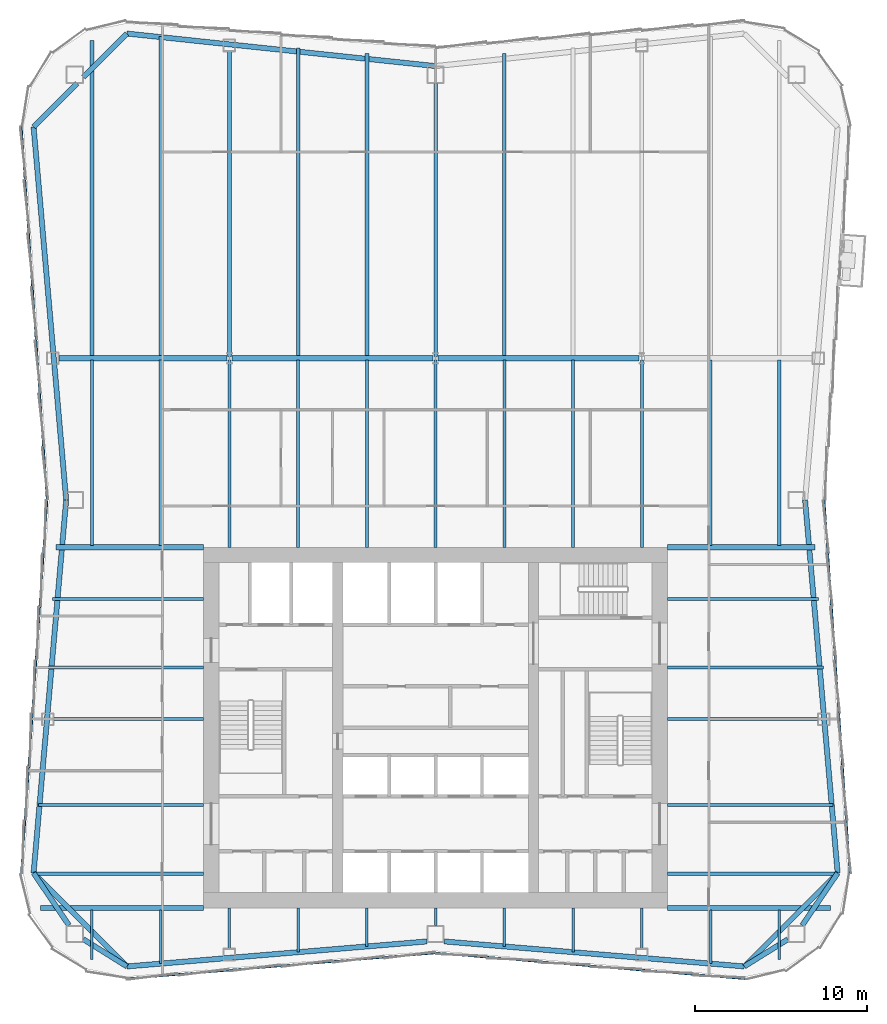
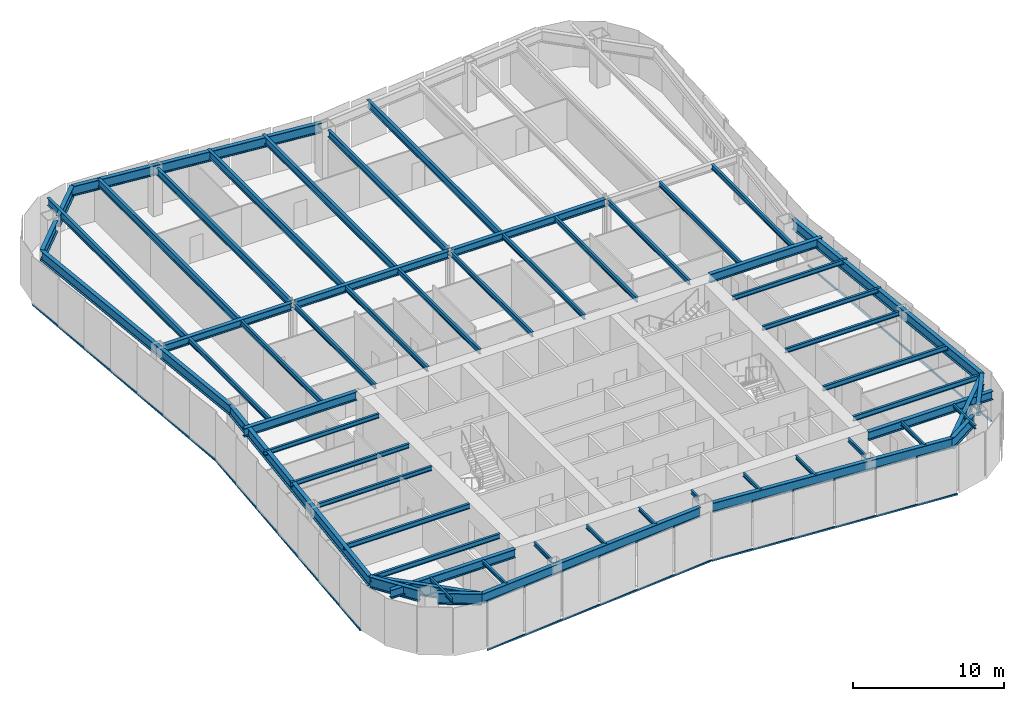
# One storey, part 2 of 10: 60 beams, 5 members, 3 elements without a shape of their own.
"""IFC4 building model written with IfcOpenShell, lengths in metres."""

from ifc_helpers import new_model, si_unit, direction, frame, origin, origin_2d, place, context, subcontext, project, spatial, rectangle, i_section, extrude, material, material_profile, profile_set, type_object, element, aggregate, save


model = new_model("IFC4")

# Units and contexts
model_context = context("Model", 3, precision=1e-05, world=origin(), true_north=direction((0.0, 1.0)))
body_context = subcontext(model_context, "Body", "Model", "MODEL_VIEW")
ifc_project = project(units=[si_unit("LENGTHUNIT", "METRE"), si_unit("AREAUNIT", "SQUARE_METRE"), si_unit("VOLUMEUNIT", "CUBIC_METRE"), si_unit("PLANEANGLEUNIT", "RADIAN"), si_unit("MASSUNIT", "GRAM", prefix="KILO")], contexts=[model_context])

# Site, building, storey
site_placement = place(None, origin())
site = spatial("IfcSite", under=ifc_project, at=site_placement, CompositionType="ELEMENT")
building_placement = place(site_placement, origin())
building = spatial("IfcBuilding", under=site, at=building_placement, Name="Verdant Reach Tower", CompositionType="ELEMENT")
storey_placement = place(building_placement, frame((0.0, 0.0, 198.0)))
storey = spatial("IfcBuildingStorey", under=building, at=storey_placement, Name="L45", CompositionType="ELEMENT", Elevation=198.0)

# Curtain wall, member
ifc_material_1 = material(Name="Anodised aluminium", Category="aluminium")
curtain_wall_type = type_object("IfcCurtainWallType", Name="EN-CW SYSTEM Z3", PredefinedType="NOTDEFINED", material=ifc_material_1)
curtain_wall_1_placement = place(storey_placement, origin())
curtain_wall_1 = element("IfcCurtainWall", 1, at=curtain_wall_1_placement, inside=storey, type_object=curtain_wall_type, Name="Curtain wall east, L45", PredefinedType="NOTDEFINED")
ifc_material_profile_1 = material_profile(ifc_material_1, rectangle(XDim=0.10009765625, YDim=0.1259765625, at=origin_2d()), Name="Transom 126x100")
ifc_profile_set_1 = profile_set([ifc_material_profile_1], Name="Anodised aluminium")
member_type = type_object("IfcMemberType", Name="EN-TRANSOM Z3", PredefinedType="USERDEFINED", material=ifc_profile_set_1)
member_1_placement = place(storey_placement, frame((24.1064453125, 19.52587890625, -0.287109375), z_axis=(-0.068764326054, 0.997632932226, 0.0), x_axis=(-0.997632932226, -0.068764326054, 0.0)))
member_1 = element("IfcMember", 2, at=member_1_placement, type_object=member_type, Name="Transom east face part 1 1.1, L45", ObjectType="TRANSOM", PredefinedType="USERDEFINED", context=body_context, shape_type="SweptSolid", body=[
    extrude(rectangle(XDim=0.10009765625, YDim=0.1259765625, at=origin_2d()), origin(), (0.0, 0.0, 1.0), 21.74267578125),
])
aggregate(curtain_wall_1, [member_1])

# Curtain wall, members
curtain_wall_2_placement = place(storey_placement, origin())
curtain_wall_2 = element("IfcCurtainWall", 3, at=curtain_wall_2_placement, inside=storey, type_object=curtain_wall_type, Name="Curtain wall west, L45", PredefinedType="NOTDEFINED")
member_2_placement = place(storey_placement, frame((-24.1064453125, 62.97412109375, -0.287109375), z_axis=(0.068764326054, -0.997632932226, 0.0), x_axis=(0.997632932226, 0.068764326054, 0.0)))
member_2 = element("IfcMember", 4, at=member_2_placement, type_object=member_type, Name="Transom west face part 1 1.1, L45", ObjectType="TRANSOM", PredefinedType="USERDEFINED", context=body_context, shape_type="SweptSolid", body=[
    extrude(rectangle(XDim=0.10009765625, YDim=0.1259765625, at=origin_2d()), origin(), (0.0, 0.0, 1.0), 21.74267578125),
])
member_3_placement = place(storey_placement, frame((-22.611328125, 41.217041015625, -0.287109375), z_axis=(-0.068764326054, -0.997632932226, 0.0), x_axis=(0.997632932226, -0.068764326054, 0.0)))
member_3 = element("IfcMember", 5, at=member_3_placement, type_object=member_type, Name="Transom west face part 2 1.1, L45", ObjectType="TRANSOM", PredefinedType="USERDEFINED", context=body_context, shape_type="SweptSolid", body=[
    extrude(rectangle(XDim=0.10009765625, YDim=0.1259765625, at=origin_2d()), origin(), (0.0, 0.0, 1.0), 21.74267578125),
])
aggregate(curtain_wall_2, [member_2, member_3])

curtain_wall_3_placement = place(storey_placement, origin())
curtain_wall_3 = element("IfcCurtainWall", 6, at=curtain_wall_3_placement, inside=storey, type_object=curtain_wall_type, Name="Curtain wall south, L45", PredefinedType="NOTDEFINED")
member_4_placement = place(storey_placement, frame((-17.973388671875, 13.393798828125, -0.287109375), z_axis=(0.996548750467, 0.083009565369, 0.0), x_axis=(-0.083009565369, 0.996548750467, 0.0)))
member_4 = element("IfcMember", 7, at=member_4_placement, type_object=member_type, Name="Transom south face part 1 1.1, L45", ObjectType="TRANSOM", PredefinedType="USERDEFINED", context=body_context, shape_type="SweptSolid", body=[
    extrude(rectangle(XDim=0.10009765625, YDim=0.1259765625, at=origin_2d()), origin(), (0.0, 0.0, 1.0), 18.00244140625),
])
member_5_placement = place(storey_placement, frame((0.032958984375, 14.88818359375, -0.287109375), z_axis=(0.996548750467, -0.083009565369, 0.0), x_axis=(0.083009565369, 0.996548750467, 0.0)))
member_5 = element("IfcMember", 8, at=member_5_placement, type_object=member_type, Name="Transom south face part 2 1.1, L45", ObjectType="TRANSOM", PredefinedType="USERDEFINED", context=body_context, shape_type="SweptSolid", body=[
    extrude(rectangle(XDim=0.10009765625, YDim=0.1259765625, at=origin_2d()), origin(), (0.0, 0.0, 1.0), 18.00244140625),
])
aggregate(curtain_wall_3, [member_4, member_5])

# Beams
ifc_material_2 = material(Name="Steel S355", Category="steel")
ifc_material_profile_2 = material_profile(ifc_material_2, i_section(OverallWidth=0.300048828125, OverallDepth=0.60009765625, WebThickness=0.015380859375, FlangeThickness=0.030029296875, FilletRadius=0.027099609375, at=origin_2d()), Name="HEB 600")
ifc_profile_set_2 = profile_set([ifc_material_profile_2], Name="Steel S355")
beam_type_1 = type_object("IfcBeamType", Name="ST-BEAM-HEB600", PredefinedType="BEAM", material=ifc_profile_set_2)
beam_1_placement = place(storey_placement, frame((-21.9189453125, 49.5, 3.570068359375), z_axis=(1.0, 0.0, 0.0), x_axis=(0.0, 1.0, 0.0)))
element("IfcBeam", 9, at=beam_1_placement, inside=storey, type_object=beam_type_1, Name="Row girder, L45", PredefinedType="BEAM", context=body_context, shape_type="SweptSolid", body=[
    extrude(i_section(OverallWidth=0.300048828125, OverallDepth=0.60009765625, WebThickness=0.015380859375, FlangeThickness=0.030029296875, FilletRadius=0.027099609375, at=origin_2d()), origin(), (0.0, 0.0, 1.0), 9.766357421875),
])
for number, where, z_axis, x_axis, name in (
    (10, (-11.847412109375, 49.5, 3.570068359375), (1.0, 0.0, 0.0), (0.0, 1.0, 0.0), "Row girder, L45"),
    (11, (0.152587890625, 49.5, 3.570068359375), (1.0, 0.0, 0.0), (0.0, 1.0, 0.0), "Row girder, L45"),
):
    element("IfcBeam", number, at=place(storey_placement, frame(where, z_axis=z_axis, x_axis=x_axis)), inside=storey, type_object=beam_type_1, Name=name, PredefinedType="BEAM", context=body_context, shape_type="SweptSolid", body=[
        extrude(i_section(OverallWidth=0.300048828125, OverallDepth=0.60009765625, WebThickness=0.015380859375, FlangeThickness=0.030029296875, FilletRadius=0.027099609375, at=origin_2d()), origin(), (0.0, 0.0, 1.0), 11.69482421875),
    ])
ifc_material_profile_3 = material_profile(ifc_material_2, i_section(OverallWidth=0.300048828125, OverallDepth=0.699951171875, WebThickness=0.01708984375, FlangeThickness=0.031982421875, FilletRadius=0.027099609375, at=origin_2d()), Name="HEB 700")
ifc_profile_set_3 = profile_set([ifc_material_profile_3], Name="Steel S355")
beam_type_2 = type_object("IfcBeamType", Name="ST-BEAM-HEB700", PredefinedType="BEAM", material=ifc_profile_set_3)
for number, where, z_axis, x_axis, name in (
    (12, (13.5, 38.5, 3.52001953125), (1.0, 0.0, 0.0), (0.0, 1.0, 0.0), "Trimmer beam, L45"),
    (13, (-13.5, 38.5, 3.52001953125), (-1.0, 0.0, 0.0), (0.0, -1.0, 0.0), "Trimmer beam, L45"),
):
    element("IfcBeam", number, at=place(storey_placement, frame(where, z_axis=z_axis, x_axis=x_axis)), inside=storey, type_object=beam_type_2, Name=name, PredefinedType="BEAM", context=body_context, shape_type="SweptSolid", body=[
        extrude(i_section(OverallWidth=0.300048828125, OverallDepth=0.699951171875, WebThickness=0.01708984375, FlangeThickness=0.031982421875, FilletRadius=0.027099609375, at=origin_2d()), origin(), (0.0, 0.0, 1.0), 8.588134765625),
    ])
for number, where, z_axis, x_axis, name in (
    (14, (13.5, 17.5, 3.52001953125), (1.0, 0.0, 0.0), (0.0, 1.0, 0.0), "Trimmer beam, L45"),
    (15, (-13.5, 17.5, 3.52001953125), (-1.0, 0.0, 0.0), (0.0, -1.0, 0.0), "Trimmer beam, L45"),
):
    element("IfcBeam", number, at=place(storey_placement, frame(where, z_axis=z_axis, x_axis=x_axis)), inside=storey, type_object=beam_type_2, Name=name, PredefinedType="BEAM", context=body_context, shape_type="SweptSolid", body=[
        extrude(i_section(OverallWidth=0.300048828125, OverallDepth=0.699951171875, WebThickness=0.01708984375, FlangeThickness=0.031982421875, FilletRadius=0.027099609375, at=origin_2d()), origin(), (0.0, 0.0, 1.0), 9.490478515625),
    ])
ifc_material_profile_4 = material_profile(ifc_material_2, i_section(OverallWidth=0.302001953125, OverallDepth=0.909912109375, WebThickness=0.02099609375, FlangeThickness=0.0400390625, FilletRadius=0.030029296875, at=origin_2d()), Name="HEM 900")
ifc_profile_set_4 = profile_set([ifc_material_profile_4], Name="Steel S355")
beam_type_3 = type_object("IfcBeamType", Name="ST-BEAM-HEM900", PredefinedType="BEAM", material=ifc_profile_set_4)
beam_2_placement = place(storey_placement, frame((20.5, 15.687744140625, 3.4150390625), z_axis=(-0.848163521635, -0.529734500073, 0.0), x_axis=(0.529734500073, -0.848163521635, 0.0)))
element("IfcBeam", 16, at=beam_2_placement, inside=storey, type_object=beam_type_3, Name="Column stub beam, L45", PredefinedType="BEAM", context=body_context, shape_type="SweptSolid", body=[
    extrude(i_section(OverallWidth=0.302001953125, OverallDepth=0.909912109375, WebThickness=0.02099609375, FlangeThickness=0.0400390625, FilletRadius=0.030029296875, at=origin_2d()), origin(), (0.0, 0.0, 1.0), 2.98779296875),
])
beam_3_placement = place(storey_placement, frame((21.33837890625, 16.5, 3.4150390625), z_axis=(0.560703975309, 0.828016335631, 0.0), x_axis=(-0.828016335631, 0.560703975309, 0.0)))
element("IfcBeam", 17, at=beam_3_placement, inside=storey, type_object=beam_type_3, Name="Column stub beam, L45", PredefinedType="BEAM", context=body_context, shape_type="SweptSolid", body=[
    extrude(i_section(OverallWidth=0.302001953125, OverallDepth=0.909912109375, WebThickness=0.02099609375, FlangeThickness=0.0400390625, FilletRadius=0.030029296875, at=origin_2d()), origin(), (0.0, 0.0, 1.0), 3.669677734375),
])
beam_4_placement = place(storey_placement, frame((-20.5, 15.687744140625, 3.4150390625), z_axis=(0.848163521635, -0.529734500073, 0.0), x_axis=(0.529734500073, 0.848163521635, 0.0)))
element("IfcBeam", 18, at=beam_4_placement, inside=storey, type_object=beam_type_3, Name="Column stub beam, L45", PredefinedType="BEAM", context=body_context, shape_type="SweptSolid", body=[
    extrude(i_section(OverallWidth=0.302001953125, OverallDepth=0.909912109375, WebThickness=0.02099609375, FlangeThickness=0.0400390625, FilletRadius=0.030029296875, at=origin_2d()), origin(), (0.0, 0.0, 1.0), 2.98779296875),
])
beam_5_placement = place(storey_placement, frame((-21.33837890625, 16.5, 3.4150390625), z_axis=(-0.560703975309, 0.828016335631, 0.0), x_axis=(-0.828016335631, -0.560703975309, 0.0)))
element("IfcBeam", 19, at=beam_5_placement, inside=storey, type_object=beam_type_3, Name="Column stub beam, L45", PredefinedType="BEAM", context=body_context, shape_type="SweptSolid", body=[
    extrude(i_section(OverallWidth=0.302001953125, OverallDepth=0.909912109375, WebThickness=0.02099609375, FlangeThickness=0.0400390625, FilletRadius=0.030029296875, at=origin_2d()), origin(), (0.0, 0.0, 1.0), 3.669677734375),
])
ifc_material_profile_5 = material_profile(ifc_material_2, i_section(OverallWidth=0.14990234375, OverallDepth=0.300048828125, WebThickness=0.007080078125, FlangeThickness=0.0107421875, FilletRadius=0.014892578125, at=origin_2d()), Name="IPE 300")
ifc_profile_set_5 = profile_set([ifc_material_profile_5], Name="Steel S355")
beam_type_4 = type_object("IfcBeamType", Name="ST-JOIST-IPE300", PredefinedType="JOIST", material=ifc_profile_set_5)
beam_6_placement = place(storey_placement, frame((-20.0, 17.39990234375, 3.719970703125), z_axis=(0.0, -1.0, 0.0), x_axis=(1.0, 0.0, 0.0)))
element("IfcBeam", 20, at=beam_6_placement, inside=storey, type_object=beam_type_4, Name="Floor joist, L45", PredefinedType="JOIST", context=body_context, shape_type="SweptSolid", body=[
    extrude(i_section(OverallWidth=0.14990234375, OverallDepth=0.300048828125, WebThickness=0.007080078125, FlangeThickness=0.0107421875, FilletRadius=0.014892578125, at=origin_2d()), origin(), (0.0, 0.0, 1.0), 2.890380859375),
])
beam_7_placement = place(storey_placement, frame((-16.0, 17.39990234375, 3.719970703125), z_axis=(0.0, -1.0, 0.0), x_axis=(1.0, 0.0, 0.0)))
element("IfcBeam", 21, at=beam_7_placement, inside=storey, type_object=beam_type_4, Name="Floor joist, L45", PredefinedType="JOIST", context=body_context, shape_type="SweptSolid", body=[
    extrude(i_section(OverallWidth=0.14990234375, OverallDepth=0.300048828125, WebThickness=0.007080078125, FlangeThickness=0.0107421875, FilletRadius=0.014892578125, at=origin_2d()), origin(), (0.0, 0.0, 1.0), 3.131103515625),
])
beam_8_placement = place(storey_placement, frame((-12.0, 17.5, 3.719970703125), z_axis=(0.0, -1.0, 0.0), x_axis=(1.0, 0.0, 0.0)))
element("IfcBeam", 22, at=beam_8_placement, inside=storey, type_object=beam_type_4, Name="Floor joist, L45", PredefinedType="JOIST", context=body_context, shape_type="SweptSolid", body=[
    extrude(i_section(OverallWidth=0.14990234375, OverallDepth=0.300048828125, WebThickness=0.007080078125, FlangeThickness=0.0107421875, FilletRadius=0.014892578125, at=origin_2d()), origin(), (0.0, 0.0, 1.0), 2.35009765625),
])
beam_9_placement = place(storey_placement, frame((-8.0, 17.5, 3.719970703125), z_axis=(0.0, -1.0, 0.0), x_axis=(1.0, 0.0, 0.0)))
element("IfcBeam", 23, at=beam_9_placement, inside=storey, type_object=beam_type_4, Name="Floor joist, L45", PredefinedType="JOIST", context=body_context, shape_type="SweptSolid", body=[
    extrude(i_section(OverallWidth=0.14990234375, OverallDepth=0.300048828125, WebThickness=0.007080078125, FlangeThickness=0.0107421875, FilletRadius=0.014892578125, at=origin_2d()), origin(), (0.0, 0.0, 1.0), 2.564697265625),
])
beam_10_placement = place(storey_placement, frame((-4.0, 17.5, 3.719970703125), z_axis=(0.0, -1.0, 0.0), x_axis=(1.0, 0.0, 0.0)))
element("IfcBeam", 24, at=beam_10_placement, inside=storey, type_object=beam_type_4, Name="Floor joist, L45", PredefinedType="JOIST", context=body_context, shape_type="SweptSolid", body=[
    extrude(i_section(OverallWidth=0.14990234375, OverallDepth=0.300048828125, WebThickness=0.007080078125, FlangeThickness=0.0107421875, FilletRadius=0.014892578125, at=origin_2d()), origin(), (0.0, 0.0, 1.0), 2.231201171875),
])
beam_11_placement = place(storey_placement, frame((0.0, 17.5, 3.719970703125), z_axis=(0.0, -1.0, 0.0), x_axis=(1.0, 0.0, 0.0)))
element("IfcBeam", 25, at=beam_11_placement, inside=storey, type_object=beam_type_4, Name="Floor joist, L45", PredefinedType="JOIST", context=body_context, shape_type="SweptSolid", body=[
    extrude(i_section(OverallWidth=0.14990234375, OverallDepth=0.300048828125, WebThickness=0.007080078125, FlangeThickness=0.0107421875, FilletRadius=0.014892578125, at=origin_2d()), origin(), (0.0, 0.0, 1.0), 1.0),
])
beam_12_placement = place(storey_placement, frame((4.0, 17.5, 3.719970703125), z_axis=(0.0, -1.0, 0.0), x_axis=(1.0, 0.0, 0.0)))
element("IfcBeam", 26, at=beam_12_placement, inside=storey, type_object=beam_type_4, Name="Floor joist, L45", PredefinedType="JOIST", context=body_context, shape_type="SweptSolid", body=[
    extrude(i_section(OverallWidth=0.14990234375, OverallDepth=0.300048828125, WebThickness=0.007080078125, FlangeThickness=0.0107421875, FilletRadius=0.014892578125, at=origin_2d()), origin(), (0.0, 0.0, 1.0), 2.231201171875),
])
beam_13_placement = place(storey_placement, frame((8.0, 17.5, 3.719970703125), z_axis=(0.0, -1.0, 0.0), x_axis=(1.0, 0.0, 0.0)))
element("IfcBeam", 27, at=beam_13_placement, inside=storey, type_object=beam_type_4, Name="Floor joist, L45", PredefinedType="JOIST", context=body_context, shape_type="SweptSolid", body=[
    extrude(i_section(OverallWidth=0.14990234375, OverallDepth=0.300048828125, WebThickness=0.007080078125, FlangeThickness=0.0107421875, FilletRadius=0.014892578125, at=origin_2d()), origin(), (0.0, 0.0, 1.0), 2.564697265625),
])
beam_14_placement = place(storey_placement, frame((12.0, 17.5, 3.719970703125), z_axis=(0.0, -1.0, 0.0), x_axis=(1.0, 0.0, 0.0)))
element("IfcBeam", 28, at=beam_14_placement, inside=storey, type_object=beam_type_4, Name="Floor joist, L45", PredefinedType="JOIST", context=body_context, shape_type="SweptSolid", body=[
    extrude(i_section(OverallWidth=0.14990234375, OverallDepth=0.300048828125, WebThickness=0.007080078125, FlangeThickness=0.0107421875, FilletRadius=0.014892578125, at=origin_2d()), origin(), (0.0, 0.0, 1.0), 2.35009765625),
])
beam_15_placement = place(storey_placement, frame((16.0, 17.39990234375, 3.719970703125), z_axis=(0.0, -1.0, 0.0), x_axis=(1.0, 0.0, 0.0)))
element("IfcBeam", 29, at=beam_15_placement, inside=storey, type_object=beam_type_4, Name="Floor joist, L45", PredefinedType="JOIST", context=body_context, shape_type="SweptSolid", body=[
    extrude(i_section(OverallWidth=0.14990234375, OverallDepth=0.300048828125, WebThickness=0.007080078125, FlangeThickness=0.0107421875, FilletRadius=0.014892578125, at=origin_2d()), origin(), (0.0, 0.0, 1.0), 3.131103515625),
])
beam_16_placement = place(storey_placement, frame((20.0, 17.39990234375, 3.719970703125), z_axis=(0.0, -1.0, 0.0), x_axis=(1.0, 0.0, 0.0)))
element("IfcBeam", 30, at=beam_16_placement, inside=storey, type_object=beam_type_4, Name="Floor joist, L45", PredefinedType="JOIST", context=body_context, shape_type="SweptSolid", body=[
    extrude(i_section(OverallWidth=0.14990234375, OverallDepth=0.300048828125, WebThickness=0.007080078125, FlangeThickness=0.0107421875, FilletRadius=0.014892578125, at=origin_2d()), origin(), (0.0, 0.0, 1.0), 2.890380859375),
])
ifc_material_profile_6 = material_profile(ifc_material_2, i_section(OverallWidth=0.169921875, OverallDepth=0.360107421875, WebThickness=0.008056640625, FlangeThickness=0.0126953125, FilletRadius=0.01806640625, at=origin_2d()), Name="IPE 360")
ifc_profile_set_6 = profile_set([ifc_material_profile_6], Name="Steel S355")
beam_type_5 = type_object("IfcBeamType", Name="ST-JOIST-IPE360", PredefinedType="JOIST", material=ifc_profile_set_6)
for number, where, z_axis, x_axis, name in (
    (31, (13.5, 28.5, 3.68994140625), (1.0, 0.0, 0.0), (0.0, 1.0, 0.0), "Floor joist, L45"),
    (32, (-13.5, 28.5, 3.68994140625), (-1.0, 0.0, 0.0), (0.0, -1.0, 0.0), "Floor joist, L45"),
):
    element("IfcBeam", number, at=place(storey_placement, frame(where, z_axis=z_axis, x_axis=x_axis)), inside=storey, type_object=beam_type_5, Name=name, PredefinedType="JOIST", context=body_context, shape_type="SweptSolid", body=[
        extrude(i_section(OverallWidth=0.169921875, OverallDepth=0.360107421875, WebThickness=0.008056640625, FlangeThickness=0.0126953125, FilletRadius=0.01806640625, at=origin_2d()), origin(), (0.0, 0.0, 1.0), 8.729248046875),
    ])
for number, where, z_axis, x_axis, name in (
    (33, (13.5, 31.5, 3.68994140625), (1.0, 0.0, 0.0), (0.0, 1.0, 0.0), "Floor joist, L45"),
    (34, (-13.5, 31.5, 3.68994140625), (-1.0, 0.0, 0.0), (0.0, -1.0, 0.0), "Floor joist, L45"),
):
    element("IfcBeam", number, at=place(storey_placement, frame(where, z_axis=z_axis, x_axis=x_axis)), inside=storey, type_object=beam_type_5, Name=name, PredefinedType="JOIST", context=body_context, shape_type="SweptSolid", body=[
        extrude(i_section(OverallWidth=0.169921875, OverallDepth=0.360107421875, WebThickness=0.008056640625, FlangeThickness=0.0126953125, FilletRadius=0.01806640625, at=origin_2d()), origin(), (0.0, 0.0, 1.0), 9.071044921875),
    ])
for number, where, z_axis, x_axis, name in (
    (35, (13.5, 35.5, 3.68994140625), (1.0, 0.0, 0.0), (0.0, 1.0, 0.0), "Floor joist, L45"),
    (36, (-13.5, 35.5, 3.68994140625), (-1.0, 0.0, 0.0), (0.0, -1.0, 0.0), "Floor joist, L45"),
):
    element("IfcBeam", number, at=place(storey_placement, frame(where, z_axis=z_axis, x_axis=x_axis)), inside=storey, type_object=beam_type_5, Name=name, PredefinedType="JOIST", context=body_context, shape_type="SweptSolid", body=[
        extrude(i_section(OverallWidth=0.169921875, OverallDepth=0.360107421875, WebThickness=0.008056640625, FlangeThickness=0.0126953125, FilletRadius=0.01806640625, at=origin_2d()), origin(), (0.0, 0.0, 1.0), 8.795166015625),
    ])
ifc_material_profile_7 = material_profile(ifc_material_2, i_section(OverallWidth=0.179931640625, OverallDepth=0.39990234375, WebThickness=0.008544921875, FlangeThickness=0.013427734375, FilletRadius=0.02099609375, at=origin_2d()), Name="IPE 400")
ifc_profile_set_7 = profile_set([ifc_material_profile_7], Name="Steel S355")
beam_type_6 = type_object("IfcBeamType", Name="ST-JOIST-IPE400", PredefinedType="JOIST", material=ifc_profile_set_7)
for number, where, z_axis, x_axis, name in (
    (37, (-20.0, 38.60009765625, 3.669921875), (0.0, 1.0, 0.0), (-1.0, 0.0, 0.0), "Floor joist, L45"),
    (38, (-16.0, 38.60009765625, 3.669921875), (0.0, 1.0, 0.0), (-1.0, 0.0, 0.0), "Floor joist, L45"),
):
    element("IfcBeam", number, at=place(storey_placement, frame(where, z_axis=z_axis, x_axis=x_axis)), inside=storey, type_object=beam_type_6, Name=name, PredefinedType="JOIST", context=body_context, shape_type="SweptSolid", body=[
        extrude(i_section(OverallWidth=0.179931640625, OverallDepth=0.39990234375, WebThickness=0.008544921875, FlangeThickness=0.013427734375, FilletRadius=0.02099609375, at=origin_2d()), origin(), (0.0, 0.0, 1.0), 10.7998046875),
    ])
for number, where, z_axis, x_axis, name in (
    (39, (-12.0, 38.5, 3.669921875), (0.0, 1.0, 0.0), (-1.0, 0.0, 0.0), "Floor joist, L45"),
    (40, (-8.0, 38.5, 3.669921875), (0.0, 1.0, 0.0), (-1.0, 0.0, 0.0), "Floor joist, L45"),
    (41, (-4.0, 38.5, 3.669921875), (0.0, 1.0, 0.0), (-1.0, 0.0, 0.0), "Floor joist, L45"),
    (42, (0.0, 38.5, 3.669921875), (0.0, 1.0, 0.0), (-1.0, 0.0, 0.0), "Floor joist, L45"),
    (43, (4.0, 38.5, 3.669921875), (0.0, 1.0, 0.0), (-1.0, 0.0, 0.0), "Floor joist, L45"),
    (44, (8.0, 38.5, 3.669921875), (0.0, 1.0, 0.0), (-1.0, 0.0, 0.0), "Floor joist, L45"),
    (45, (12.0, 38.5, 3.669921875), (0.0, 1.0, 0.0), (-1.0, 0.0, 0.0), "Floor joist, L45"),
):
    element("IfcBeam", number, at=place(storey_placement, frame(where, z_axis=z_axis, x_axis=x_axis)), inside=storey, type_object=beam_type_6, Name=name, PredefinedType="JOIST", context=body_context, shape_type="SweptSolid", body=[
        extrude(i_section(OverallWidth=0.179931640625, OverallDepth=0.39990234375, WebThickness=0.008544921875, FlangeThickness=0.013427734375, FilletRadius=0.02099609375, at=origin_2d()), origin(), (0.0, 0.0, 1.0), 10.89990234375),
    ])
for number, where, z_axis, x_axis, name in (
    (46, (16.0, 38.60009765625, 3.669921875), (0.0, 1.0, 0.0), (-1.0, 0.0, 0.0), "Floor joist, L45"),
    (47, (20.0, 38.60009765625, 3.669921875), (0.0, 1.0, 0.0), (-1.0, 0.0, 0.0), "Floor joist, L45"),
):
    element("IfcBeam", number, at=place(storey_placement, frame(where, z_axis=z_axis, x_axis=x_axis)), inside=storey, type_object=beam_type_6, Name=name, PredefinedType="JOIST", context=body_context, shape_type="SweptSolid", body=[
        extrude(i_section(OverallWidth=0.179931640625, OverallDepth=0.39990234375, WebThickness=0.008544921875, FlangeThickness=0.013427734375, FilletRadius=0.02099609375, at=origin_2d()), origin(), (0.0, 0.0, 1.0), 10.7998046875),
    ])
for number, where, z_axis, x_axis, name in (
    (48, (13.5, 19.5, 3.669921875), (1.0, 0.0, 0.0), (0.0, 1.0, 0.0), "Floor joist, L45"),
    (49, (-13.5, 19.5, 3.669921875), (-1.0, 0.0, 0.0), (0.0, -1.0, 0.0), "Floor joist, L45"),
):
    element("IfcBeam", number, at=place(storey_placement, frame(where, z_axis=z_axis, x_axis=x_axis)), inside=storey, type_object=beam_type_6, Name=name, PredefinedType="JOIST", context=body_context, shape_type="SweptSolid", body=[
        extrude(i_section(OverallWidth=0.179931640625, OverallDepth=0.39990234375, WebThickness=0.008544921875, FlangeThickness=0.013427734375, FilletRadius=0.02099609375, at=origin_2d()), origin(), (0.0, 0.0, 1.0), 9.88818359375),
    ])
for number, where, z_axis, x_axis, name in (
    (50, (13.5, 23.5, 3.669921875), (1.0, 0.0, 0.0), (0.0, 1.0, 0.0), "Floor joist, L45"),
    (51, (-13.5, 23.5, 3.669921875), (-1.0, 0.0, 0.0), (0.0, -1.0, 0.0), "Floor joist, L45"),
):
    element("IfcBeam", number, at=place(storey_placement, frame(where, z_axis=z_axis, x_axis=x_axis)), inside=storey, type_object=beam_type_6, Name=name, PredefinedType="JOIST", context=body_context, shape_type="SweptSolid", body=[
        extrude(i_section(OverallWidth=0.179931640625, OverallDepth=0.39990234375, WebThickness=0.008544921875, FlangeThickness=0.013427734375, FilletRadius=0.02099609375, at=origin_2d()), origin(), (0.0, 0.0, 1.0), 9.622802734375),
    ])
ifc_material_profile_8 = material_profile(ifc_material_2, i_section(OverallWidth=0.2099609375, OverallDepth=0.550048828125, WebThickness=0.010986328125, FlangeThickness=0.01708984375, FilletRadius=0.02392578125, at=origin_2d()), Name="IPE 550")
ifc_profile_set_8 = profile_set([ifc_material_profile_8], Name="Steel S355")
beam_type_7 = type_object("IfcBeamType", Name="ST-JOIST-IPE550", PredefinedType="JOIST", material=ifc_profile_set_8)
beam_17_placement = place(storey_placement, frame((0.0, 49.60009765625, 3.594970703125), z_axis=(0.0, 1.0, 0.0), x_axis=(-1.0, 0.0, 0.0)))
element("IfcBeam", 52, at=beam_17_placement, inside=storey, type_object=beam_type_7, Name="Floor joist, L45", PredefinedType="JOIST", context=body_context, shape_type="SweptSolid", body=[
    extrude(i_section(OverallWidth=0.2099609375, OverallDepth=0.550048828125, WebThickness=0.010986328125, FlangeThickness=0.01708984375, FilletRadius=0.02392578125, at=origin_2d()), origin(), (0.0, 0.0, 1.0), 15.89990234375),
])
ifc_material_profile_9 = material_profile(ifc_material_2, i_section(OverallWidth=0.219970703125, OverallDepth=0.60009765625, WebThickness=0.011962890625, FlangeThickness=0.01904296875, FilletRadius=0.02392578125, at=origin_2d()), Name="IPE 600")
ifc_profile_set_9 = profile_set([ifc_material_profile_9], Name="Steel S355")
beam_type_8 = type_object("IfcBeamType", Name="ST-JOIST-IPE600", PredefinedType="JOIST", material=ifc_profile_set_9)
beam_18_placement = place(storey_placement, frame((-20.0, 49.60009765625, 3.570068359375), z_axis=(0.0, 1.0, 0.0), x_axis=(-1.0, 0.0, 0.0)))
element("IfcBeam", 53, at=beam_18_placement, inside=storey, type_object=beam_type_8, Name="Floor joist, L45", PredefinedType="JOIST", context=body_context, shape_type="SweptSolid", body=[
    extrude(i_section(OverallWidth=0.219970703125, OverallDepth=0.60009765625, WebThickness=0.011962890625, FlangeThickness=0.01904296875, FilletRadius=0.02392578125, at=origin_2d()), origin(), (0.0, 0.0, 1.0), 18.390380859375),
])
beam_19_placement = place(storey_placement, frame((-16.0, 49.60009765625, 3.570068359375), z_axis=(0.0, 1.0, 0.0), x_axis=(-1.0, 0.0, 0.0)))
element("IfcBeam", 54, at=beam_19_placement, inside=storey, type_object=beam_type_8, Name="Floor joist, L45", PredefinedType="JOIST", context=body_context, shape_type="SweptSolid", body=[
    extrude(i_section(OverallWidth=0.219970703125, OverallDepth=0.60009765625, WebThickness=0.011962890625, FlangeThickness=0.01904296875, FilletRadius=0.02392578125, at=origin_2d()), origin(), (0.0, 0.0, 1.0), 18.631103515625),
])
beam_20_placement = place(storey_placement, frame((-12.0, 49.60009765625, 3.570068359375), z_axis=(0.0, 1.0, 0.0), x_axis=(-1.0, 0.0, 0.0)))
element("IfcBeam", 55, at=beam_20_placement, inside=storey, type_object=beam_type_8, Name="Floor joist, L45", PredefinedType="JOIST", context=body_context, shape_type="SweptSolid", body=[
    extrude(i_section(OverallWidth=0.219970703125, OverallDepth=0.60009765625, WebThickness=0.011962890625, FlangeThickness=0.01904296875, FilletRadius=0.02392578125, at=origin_2d()), origin(), (0.0, 0.0, 1.0), 17.75),
])
beam_21_placement = place(storey_placement, frame((-8.0, 49.60009765625, 3.570068359375), z_axis=(0.0, 1.0, 0.0), x_axis=(-1.0, 0.0, 0.0)))
element("IfcBeam", 56, at=beam_21_placement, inside=storey, type_object=beam_type_8, Name="Floor joist, L45", PredefinedType="JOIST", context=body_context, shape_type="SweptSolid", body=[
    extrude(i_section(OverallWidth=0.219970703125, OverallDepth=0.60009765625, WebThickness=0.011962890625, FlangeThickness=0.01904296875, FilletRadius=0.02392578125, at=origin_2d()), origin(), (0.0, 0.0, 1.0), 17.964599609375),
])
for number, where, z_axis, x_axis, name in (
    (57, (-4.0, 49.60009765625, 3.570068359375), (0.0, 1.0, 0.0), (-1.0, 0.0, 0.0), "Floor joist, L45"),
    (58, (4.0, 49.60009765625, 3.570068359375), (0.0, 1.0, 0.0), (-1.0, 0.0, 0.0), "Floor joist, L45"),
):
    element("IfcBeam", number, at=place(storey_placement, frame(where, z_axis=z_axis, x_axis=x_axis)), inside=storey, type_object=beam_type_8, Name=name, PredefinedType="JOIST", context=body_context, shape_type="SweptSolid", body=[
        extrude(i_section(OverallWidth=0.219970703125, OverallDepth=0.60009765625, WebThickness=0.011962890625, FlangeThickness=0.01904296875, FilletRadius=0.02392578125, at=origin_2d()), origin(), (0.0, 0.0, 1.0), 17.631103515625),
    ])
ifc_material_profile_10 = material_profile(ifc_material_2, i_section(OverallWidth=0.300048828125, OverallDepth=0.800048828125, WebThickness=0.017578125, FlangeThickness=0.032958984375, FilletRadius=0.030029296875, at=origin_2d()), Name="HEB 800")
ifc_profile_set_10 = profile_set([ifc_material_profile_10], Name="Steel S355")
beam_type_9 = type_object("IfcBeamType", Name="ST-SPANDREL-HEB800", PredefinedType="SPANDREL", material=ifc_profile_set_10)
for number, where, z_axis, x_axis, name in (
    (59, (17.9658203125, 14.10498046875, 3.469970703125), (-0.99654652675, 0.083036257282, 0.0), (-0.083036257282, -0.99654652675, 0.0), "Edge beam, L45"),
    (60, (-0.5, 15.560302734375, 3.469970703125), (-0.99654652675, -0.083036257282, 0.0), (0.083036257282, -0.99654652675, 0.0), "Edge beam, L45"),
):
    element("IfcBeam", number, at=place(storey_placement, frame(where, z_axis=z_axis, x_axis=x_axis)), inside=storey, type_object=beam_type_9, Name=name, PredefinedType="SPANDREL", context=body_context, shape_type="SweptSolid", body=[
        extrude(i_section(OverallWidth=0.300048828125, OverallDepth=0.800048828125, WebThickness=0.017578125, FlangeThickness=0.032958984375, FilletRadius=0.030029296875, at=origin_2d()), origin(), (0.0, 0.0, 1.0), 17.5263671875),
    ])
for number, where, z_axis, x_axis, name in (
    (61, (-23.39599609375, 19.53857421875, 3.469970703125), (0.086996024331, 0.996208658741, 0.0), (-0.996208658741, 0.086996024331, 0.0), "Edge beam, L45"),
    (62, (-21.5, 41.25, 3.469970703125), (-0.086996024331, 0.996208658741, 0.0), (-0.996208658741, -0.086996024331, 0.0), "Edge beam, L45"),
):
    element("IfcBeam", number, at=place(storey_placement, frame(where, z_axis=z_axis, x_axis=x_axis)), inside=storey, type_object=beam_type_9, Name=name, PredefinedType="SPANDREL", context=body_context, shape_type="SweptSolid", body=[
        extrude(i_section(OverallWidth=0.300048828125, OverallDepth=0.800048828125, WebThickness=0.017578125, FlangeThickness=0.032958984375, FilletRadius=0.030029296875, at=origin_2d()), origin(), (0.0, 0.0, 1.0), 21.7939453125),
    ])
beam_22_placement = place(storey_placement, frame((-17.9658203125, 68.39501953125, 3.469970703125), z_axis=(0.994483067002, -0.104897232783, 0.0), x_axis=(0.104897232783, 0.994483067002, 0.0)))
element("IfcBeam", 63, at=beam_22_placement, inside=storey, type_object=beam_type_9, Name="Edge beam, L45", PredefinedType="SPANDREL", context=body_context, shape_type="SweptSolid", body=[
    extrude(i_section(OverallWidth=0.300048828125, OverallDepth=0.800048828125, WebThickness=0.017578125, FlangeThickness=0.032958984375, FilletRadius=0.030029296875, at=origin_2d()), origin(), (0.0, 0.0, 1.0), 18.0654296875),
])
beam_23_placement = place(storey_placement, frame((21.5, 41.25, 3.469970703125), z_axis=(0.086996024331, -0.996208658741, 0.0), x_axis=(0.996208658741, 0.086996024331, 0.0)))
element("IfcBeam", 64, at=beam_23_placement, inside=storey, type_object=beam_type_9, Name="Edge beam, L45", PredefinedType="SPANDREL", context=body_context, shape_type="SweptSolid", body=[
    extrude(i_section(OverallWidth=0.300048828125, OverallDepth=0.800048828125, WebThickness=0.017578125, FlangeThickness=0.032958984375, FilletRadius=0.030029296875, at=origin_2d()), origin(), (0.0, 0.0, 1.0), 21.7939453125),
])
ifc_material_profile_11 = material_profile(ifc_material_2, i_section(OverallWidth=0.302001953125, OverallDepth=0.909912109375, WebThickness=0.02099609375, FlangeThickness=0.0400390625, FilletRadius=0.030029296875, at=origin_2d()), Name="HEM 900")
ifc_profile_set_11 = profile_set([ifc_material_profile_11], Name="Steel S355")
beam_type_10 = type_object("IfcBeamType", Name="ST-SPANDREL-HEM900", PredefinedType="SPANDREL", material=ifc_profile_set_11)
beam_24_placement = place(storey_placement, frame((-17.9658203125, 14.10498046875, 3.4150390625), z_axis=(-0.706884275642, 0.707329216738, 0.0), x_axis=(-0.707329216738, -0.706884275642, 0.0)))
element("IfcBeam", 65, at=beam_24_placement, inside=storey, type_object=beam_type_10, Name="Edge beam, L45", PredefinedType="SPANDREL", context=body_context, shape_type="SweptSolid", body=[
    extrude(i_section(OverallWidth=0.302001953125, OverallDepth=0.909912109375, WebThickness=0.02099609375, FlangeThickness=0.0400390625, FilletRadius=0.030029296875, at=origin_2d()), origin(), (0.0, 0.0, 1.0), 7.681884765625),
])
beam_25_placement = place(storey_placement, frame((-23.39599609375, 62.96142578125, 3.4150390625), z_axis=(0.706902680526, 0.707310822952, 0.0), x_axis=(-0.707310822952, 0.706902680526, 0.0)))
element("IfcBeam", 66, at=beam_25_placement, inside=storey, type_object=beam_type_10, Name="Edge beam, L45", PredefinedType="SPANDREL", context=body_context, shape_type="SweptSolid", body=[
    extrude(i_section(OverallWidth=0.302001953125, OverallDepth=0.909912109375, WebThickness=0.02099609375, FlangeThickness=0.0400390625, FilletRadius=0.030029296875, at=origin_2d()), origin(), (0.0, 0.0, 1.0), 3.589111328125),
])
beam_26_placement = place(storey_placement, frame((-20.5, 65.859130859375, 3.4150390625), z_axis=(0.706868394255, 0.707345087777, 0.0), x_axis=(-0.707345087777, 0.706868394255, 0.0)))
element("IfcBeam", 67, at=beam_26_placement, inside=storey, type_object=beam_type_10, Name="Edge beam, L45", PredefinedType="SPANDREL", context=body_context, shape_type="SweptSolid", body=[
    extrude(i_section(OverallWidth=0.302001953125, OverallDepth=0.909912109375, WebThickness=0.02099609375, FlangeThickness=0.0400390625, FilletRadius=0.030029296875, at=origin_2d()), origin(), (0.0, 0.0, 1.0), 3.5849609375),
])
beam_27_placement = place(storey_placement, frame((23.39599609375, 19.53857421875, 3.4150390625), z_axis=(-0.706884275642, -0.707329216738, 0.0), x_axis=(0.707329216738, -0.706884275642, 0.0)))
element("IfcBeam", 68, at=beam_27_placement, inside=storey, type_object=beam_type_10, Name="Edge beam, L45", PredefinedType="SPANDREL", context=body_context, shape_type="SweptSolid", body=[
    extrude(i_section(OverallWidth=0.302001953125, OverallDepth=0.909912109375, WebThickness=0.02099609375, FlangeThickness=0.0400390625, FilletRadius=0.030029296875, at=origin_2d()), origin(), (0.0, 0.0, 1.0), 7.681884765625),
])

save(model, "model.ifc")
